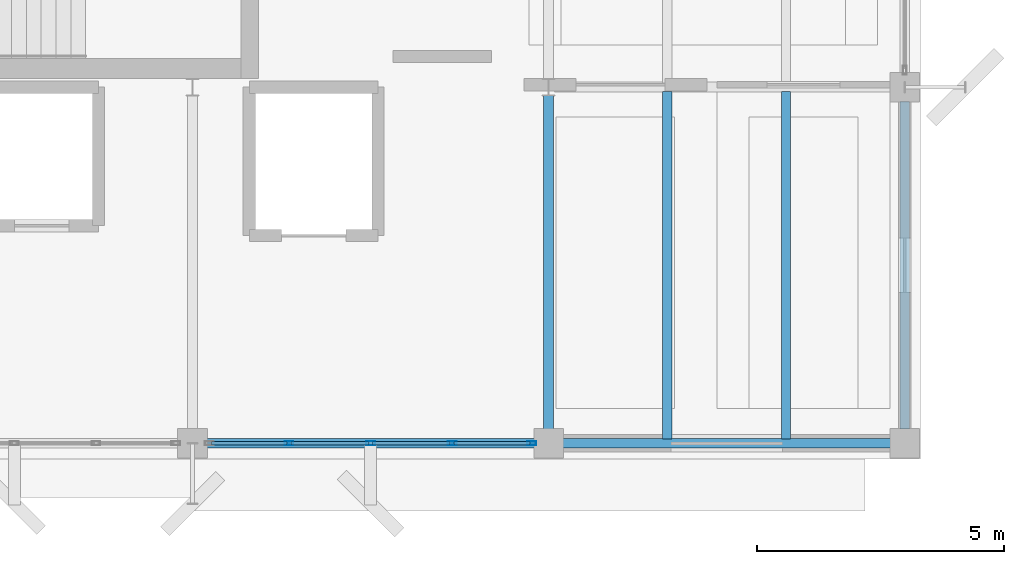
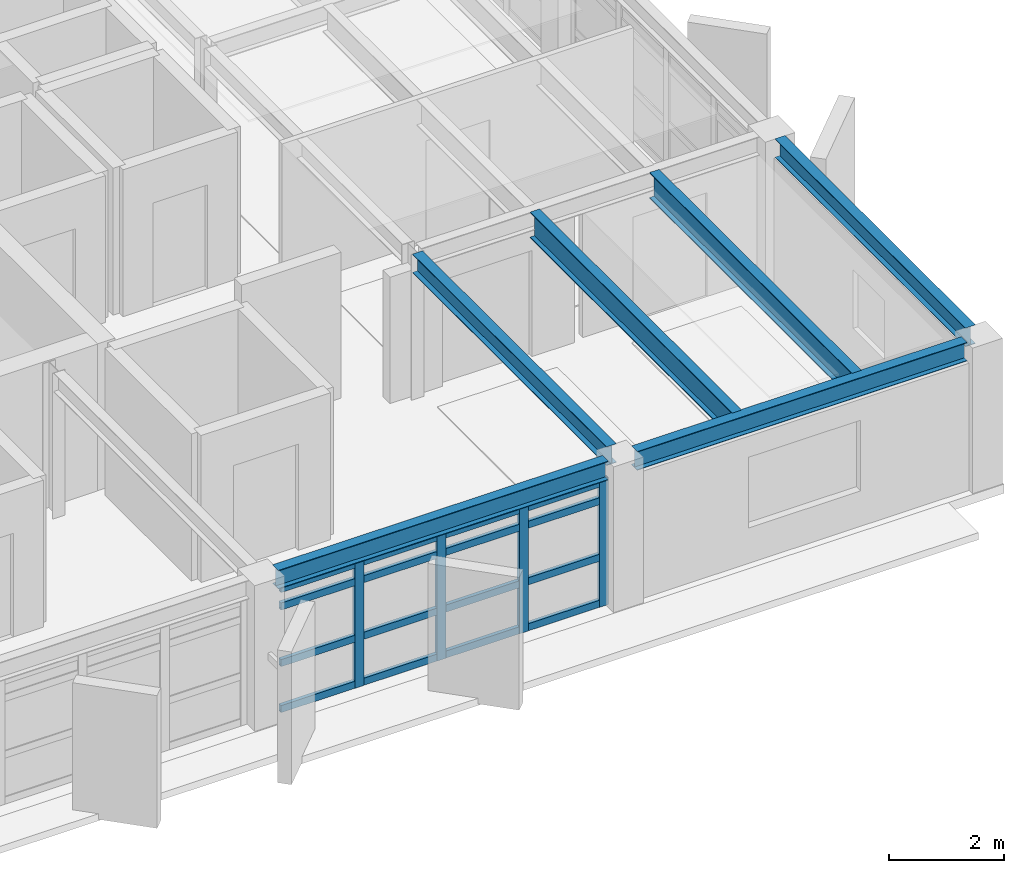
# One storey, part 5 of 15: 20 members, 6 beams, 1 element without a shape of its own.
"""IFC4 building model written with IfcOpenShell, lengths in metres."""

from ifc_helpers import new_model, si_unit, direction, frame, origin, origin_2d, place, context, subcontext, project, spatial, hollow_rectangle, i_section, extrude, material, layer, layer_set, material_profile, profile_set, type_object, element, aggregate, save


model = new_model("IFC4")

# Units and contexts
model_context = context("Model", 3, precision=1e-05, world=origin(), true_north=direction((0.0, 1.0)))
body_context = subcontext(model_context, "Body", "Model", "MODEL_VIEW")
ifc_project = project(units=[si_unit("LENGTHUNIT", "METRE"), si_unit("AREAUNIT", "SQUARE_METRE"), si_unit("VOLUMEUNIT", "CUBIC_METRE"), si_unit("PLANEANGLEUNIT", "RADIAN"), si_unit("MASSUNIT", "GRAM", prefix="KILO")], contexts=[model_context])

# Site, building, storey
site_placement = place(None, origin())
site = spatial("IfcSite", under=ifc_project, at=site_placement, CompositionType="ELEMENT")
building_placement = place(site_placement, origin())
building = spatial("IfcBuilding", under=site, at=building_placement, Name="Kandorven Conservatory and Botanical Research Centre", CompositionType="ELEMENT")
storey_placement = place(building_placement, frame((0.0, 0.0, 56.10009765625)))
storey = spatial("IfcBuildingStorey", under=building, at=storey_placement, Name="L14", CompositionType="ELEMENT", Elevation=56.10009765625)

# Beams
ifc_material_1 = material(Name="Steel S355 (IS 2062 E350)", Category="steel")
ifc_material_profile_1 = material_profile(ifc_material_1, i_section(OverallWidth=0.199951171875, OverallDepth=0.39990234375, WebThickness=0.008544921875, FlangeThickness=0.012939453125, at=origin_2d()))
ifc_profile_set_1 = profile_set([ifc_material_profile_1], Name="Steel S355 (IS 2062 E350)")
beam_type_1 = type_object("IfcBeamType", Name="Beam_FG-03", PredefinedType="USERDEFINED", material=ifc_profile_set_1)
for number, where, z_axis, x_axis, name in (
    (1, (20.68994140625, 6.0, 2.887939453125), (1.0, 0.0, 0.0), (0.0, 1.0, 0.0), "Primary girder FG-03 TWR L14"),
    (2, (27.889892578125, 6.0, 2.887939453125), (1.0, 0.0, 0.0), (0.0, 1.0, 0.0), "Primary girder FG-03 TWR L14"),
):
    element("IfcBeam", number, at=place(storey_placement, frame(where, z_axis=z_axis, x_axis=x_axis)), inside=storey, type_object=beam_type_1, Name=name, ObjectType="GIRDER", PredefinedType="USERDEFINED", context=body_context, shape_type="SweptSolid", body=[
        extrude(i_section(OverallWidth=0.199951171875, OverallDepth=0.39990234375, WebThickness=0.008544921875, FlangeThickness=0.012939453125, at=origin_2d()), origin(), (0.0, 0.0, 1.0), 6.6201171875),
    ])
beam_1_placement = place(storey_placement, frame((27.60009765625, 6.2900390625, 2.887939453125), z_axis=(0.0, 1.0, 0.0), x_axis=(-1.0, 0.0, 0.0)))
element("IfcBeam", 3, at=beam_1_placement, inside=storey, type_object=beam_type_1, Name="Primary girder FG-03 TWR L14", ObjectType="GIRDER", PredefinedType="USERDEFINED", context=body_context, shape_type="SweptSolid", body=[
    extrude(i_section(OverallWidth=0.199951171875, OverallDepth=0.39990234375, WebThickness=0.008544921875, FlangeThickness=0.012939453125, at=origin_2d()), origin(), (0.0, 0.0, 1.0), 6.744873046875),
])
beam_2_placement = place(storey_placement, frame((34.800048828125, 6.2900390625, 2.887939453125), z_axis=(0.0, 1.0, 0.0), x_axis=(-1.0, 0.0, 0.0)))
element("IfcBeam", 4, at=beam_2_placement, inside=storey, type_object=beam_type_1, Name="Primary girder FG-03 TWR L14", ObjectType="GIRDER", PredefinedType="USERDEFINED", context=body_context, shape_type="SweptSolid", body=[
    extrude(i_section(OverallWidth=0.199951171875, OverallDepth=0.39990234375, WebThickness=0.008544921875, FlangeThickness=0.012939453125, at=origin_2d()), origin(), (0.0, 0.0, 1.0), 6.619873046875),
])
ifc_material_2 = material(Name="Steel S355 (IS 2062 E350)", Category="steel")
ifc_material_profile_2 = material_profile(ifc_material_2, i_section(OverallWidth=0.18994140625, OverallDepth=0.550048828125, WebThickness=0.01123046875, FlangeThickness=0.019287109375, at=origin_2d()))
ifc_profile_set_2 = profile_set([ifc_material_profile_2], Name="Steel S355 (IS 2062 E350)")
beam_type_2 = type_object("IfcBeamType", Name="Beam_SB-02", PredefinedType="BEAM", material=ifc_profile_set_2)
for number, where, z_axis, x_axis, name in (
    (5, (30.0, 6.0849609375, 2.81298828125), (0.0, 1.0, 0.0), (-1.0, 0.0, 0.0), "Composite secondary beam SB-02 TWR L14"),
    (6, (32.39990234375, 6.0849609375, 2.81298828125), (0.0, 1.0, 0.0), (-1.0, 0.0, 0.0), "Composite secondary beam SB-02 TWR L14"),
):
    element("IfcBeam", number, at=place(storey_placement, frame(where, z_axis=z_axis, x_axis=x_axis)), inside=storey, type_object=beam_type_2, Name=name, PredefinedType="BEAM", context=body_context, shape_type="SweptSolid", body=[
        extrude(i_section(OverallWidth=0.18994140625, OverallDepth=0.550048828125, WebThickness=0.01123046875, FlangeThickness=0.019287109375, at=origin_2d()), origin(), (0.0, 0.0, 1.0), 7.030029296875),
    ])

# Curtain wall, members
ifc_material_3 = material(Name="Bronze anodised thermally broken aluminium", Category="aluminium")
ifc_layer = layer(ifc_material_3, 0.179931640625)
ifc_layer_set = layer_set([ifc_layer], Name="Bronze anodised thermally broken aluminium")
curtain_wall_type = type_object("IfcCurtainWallType", Name="CW_Unitised", PredefinedType="USERDEFINED", material=ifc_layer_set)
curtain_wall_placement = place(storey_placement, origin())
curtain_wall = element("IfcCurtainWall", 7, at=curtain_wall_placement, inside=storey, type_object=curtain_wall_type, Name="Tower laboratory curtain wall CW-TWR-S-L14-3", ObjectType="UNITISED GLAZING", PredefinedType="USERDEFINED")
ifc_material_4 = material(Name="Bronze anodised thermally broken aluminium", Category="aluminium")
ifc_material_profile_3 = material_profile(ifc_material_4, hollow_rectangle(XDim=0.080078125, YDim=0.179931640625, WallThickness=0.006103515625, at=origin_2d()))
ifc_profile_set_3 = profile_set([ifc_material_profile_3], Name="Bronze anodised thermally broken aluminium")
member_type_1 = type_object("IfcMemberType", Name="CW_Mullion", PredefinedType="MULLION", material=ifc_profile_set_3)
member_1_placement = place(storey_placement, frame((22.35009765625, 6.0, 0.0), z_axis=(0.0, 0.0, 1.0), x_axis=(0.0, 1.0, 0.0)))
member_1 = element("IfcMember", 8, at=member_1_placement, type_object=member_type_1, Name="CW-01 mullion 2", PredefinedType="MULLION", context=body_context, shape_type="SweptSolid", body=[
    extrude(hollow_rectangle(XDim=0.080078125, YDim=0.179931640625, WallThickness=0.006103515625, at=origin_2d()), origin(), (0.0, 0.0, 1.0), 2.69482421875),
])
member_2_placement = place(storey_placement, frame((24.0, 6.0, 0.0), z_axis=(0.0, 0.0, 1.0), x_axis=(0.0, 1.0, 0.0)))
member_2 = element("IfcMember", 9, at=member_2_placement, type_object=member_type_1, Name="CW-01 mullion 3", PredefinedType="MULLION", context=body_context, shape_type="SweptSolid", body=[
    extrude(hollow_rectangle(XDim=0.080078125, YDim=0.179931640625, WallThickness=0.006103515625, at=origin_2d()), origin(), (0.0, 0.0, 1.0), 2.69482421875),
])
member_3_placement = place(storey_placement, frame((25.64990234375, 6.0, 0.0), z_axis=(0.0, 0.0, 1.0), x_axis=(0.0, 1.0, 0.0)))
member_3 = element("IfcMember", 10, at=member_3_placement, type_object=member_type_1, Name="CW-01 mullion 4", PredefinedType="MULLION", context=body_context, shape_type="SweptSolid", body=[
    extrude(hollow_rectangle(XDim=0.080078125, YDim=0.179931640625, WallThickness=0.006103515625, at=origin_2d()), origin(), (0.0, 0.0, 1.0), 2.69482421875),
])
member_4_placement = place(storey_placement, frame((27.260009765625, 6.0, 0.0), z_axis=(0.0, 0.0, 1.0), x_axis=(0.0, 1.0, 0.0)))
member_4 = element("IfcMember", 11, at=member_4_placement, type_object=member_type_1, Name="CW-01 mullion 5", PredefinedType="MULLION", context=body_context, shape_type="SweptSolid", body=[
    extrude(hollow_rectangle(XDim=0.080078125, YDim=0.179931640625, WallThickness=0.006103515625, at=origin_2d()), origin(), (0.0, 0.0, 1.0), 2.69482421875),
])
ifc_material_5 = material(Name="Bronze anodised thermally broken aluminium", Category="aluminium")
ifc_material_profile_4 = material_profile(ifc_material_5, hollow_rectangle(XDim=0.074951171875, YDim=0.14990234375, WallThickness=0.006103515625, at=origin_2d()))
ifc_profile_set_4 = profile_set([ifc_material_profile_4], Name="Bronze anodised thermally broken aluminium")
member_type_2 = type_object("IfcMemberType", Name="CW_Transom", PredefinedType="USERDEFINED", material=ifc_profile_set_4)
member_5_placement = place(storey_placement, frame((20.780029296875, 6.0, 0.074951171875), z_axis=(1.0, 0.0, 0.0), x_axis=(0.0, 1.0, 0.0)))
member_5 = element("IfcMember", 12, at=member_5_placement, type_object=member_type_2, Name="CW-01 transom 1.1", ObjectType="TRANSOM", PredefinedType="USERDEFINED", context=body_context, shape_type="SweptSolid", body=[
    extrude(hollow_rectangle(XDim=0.074951171875, YDim=0.14990234375, WallThickness=0.006103515625, at=origin_2d()), origin(), (0.0, 0.0, 1.0), 1.530029296875),
])
member_6_placement = place(storey_placement, frame((20.780029296875, 6.0, 1.0498046875), z_axis=(1.0, 0.0, 0.0), x_axis=(0.0, 1.0, 0.0)))
member_6 = element("IfcMember", 13, at=member_6_placement, type_object=member_type_2, Name="CW-01 transom 1.2", ObjectType="TRANSOM", PredefinedType="USERDEFINED", context=body_context, shape_type="SweptSolid", body=[
    extrude(hollow_rectangle(XDim=0.074951171875, YDim=0.14990234375, WallThickness=0.006103515625, at=origin_2d()), origin(), (0.0, 0.0, 1.0), 1.530029296875),
])
member_7_placement = place(storey_placement, frame((20.780029296875, 6.0, 2.25), z_axis=(1.0, 0.0, 0.0), x_axis=(0.0, 1.0, 0.0)))
member_7 = element("IfcMember", 14, at=member_7_placement, type_object=member_type_2, Name="CW-01 transom 1.3", ObjectType="TRANSOM", PredefinedType="USERDEFINED", context=body_context, shape_type="SweptSolid", body=[
    extrude(hollow_rectangle(XDim=0.074951171875, YDim=0.14990234375, WallThickness=0.006103515625, at=origin_2d()), origin(), (0.0, 0.0, 1.0), 1.530029296875),
])
member_8_placement = place(storey_placement, frame((20.780029296875, 6.0, 2.619873046875), z_axis=(1.0, 0.0, 0.0), x_axis=(0.0, 1.0, 0.0)))
member_8 = element("IfcMember", 15, at=member_8_placement, type_object=member_type_2, Name="CW-01 transom 1.4", ObjectType="TRANSOM", PredefinedType="USERDEFINED", context=body_context, shape_type="SweptSolid", body=[
    extrude(hollow_rectangle(XDim=0.074951171875, YDim=0.14990234375, WallThickness=0.006103515625, at=origin_2d()), origin(), (0.0, 0.0, 1.0), 1.530029296875),
])
member_9_placement = place(storey_placement, frame((22.389892578125, 6.0, 0.074951171875), z_axis=(1.0, 0.0, 0.0), x_axis=(0.0, 1.0, 0.0)))
member_9 = element("IfcMember", 16, at=member_9_placement, type_object=member_type_2, Name="CW-01 transom 2.1", ObjectType="TRANSOM", PredefinedType="USERDEFINED", context=body_context, shape_type="SweptSolid", body=[
    extrude(hollow_rectangle(XDim=0.074951171875, YDim=0.14990234375, WallThickness=0.006103515625, at=origin_2d()), origin(), (0.0, 0.0, 1.0), 1.570068359375),
])
member_10_placement = place(storey_placement, frame((22.389892578125, 6.0, 1.0498046875), z_axis=(1.0, 0.0, 0.0), x_axis=(0.0, 1.0, 0.0)))
member_10 = element("IfcMember", 17, at=member_10_placement, type_object=member_type_2, Name="CW-01 transom 2.2", ObjectType="TRANSOM", PredefinedType="USERDEFINED", context=body_context, shape_type="SweptSolid", body=[
    extrude(hollow_rectangle(XDim=0.074951171875, YDim=0.14990234375, WallThickness=0.006103515625, at=origin_2d()), origin(), (0.0, 0.0, 1.0), 1.570068359375),
])
member_11_placement = place(storey_placement, frame((22.389892578125, 6.0, 2.25), z_axis=(1.0, 0.0, 0.0), x_axis=(0.0, 1.0, 0.0)))
member_11 = element("IfcMember", 18, at=member_11_placement, type_object=member_type_2, Name="CW-01 transom 2.3", ObjectType="TRANSOM", PredefinedType="USERDEFINED", context=body_context, shape_type="SweptSolid", body=[
    extrude(hollow_rectangle(XDim=0.074951171875, YDim=0.14990234375, WallThickness=0.006103515625, at=origin_2d()), origin(), (0.0, 0.0, 1.0), 1.570068359375),
])
member_12_placement = place(storey_placement, frame((22.389892578125, 6.0, 2.619873046875), z_axis=(1.0, 0.0, 0.0), x_axis=(0.0, 1.0, 0.0)))
member_12 = element("IfcMember", 19, at=member_12_placement, type_object=member_type_2, Name="CW-01 transom 2.4", ObjectType="TRANSOM", PredefinedType="USERDEFINED", context=body_context, shape_type="SweptSolid", body=[
    extrude(hollow_rectangle(XDim=0.074951171875, YDim=0.14990234375, WallThickness=0.006103515625, at=origin_2d()), origin(), (0.0, 0.0, 1.0), 1.570068359375),
])
member_13_placement = place(storey_placement, frame((24.0400390625, 6.0, 0.074951171875), z_axis=(1.0, 0.0, 0.0), x_axis=(0.0, 1.0, 0.0)))
member_13 = element("IfcMember", 20, at=member_13_placement, type_object=member_type_2, Name="CW-01 transom 3.1", ObjectType="TRANSOM", PredefinedType="USERDEFINED", context=body_context, shape_type="SweptSolid", body=[
    extrude(hollow_rectangle(XDim=0.074951171875, YDim=0.14990234375, WallThickness=0.006103515625, at=origin_2d()), origin(), (0.0, 0.0, 1.0), 1.570068359375),
])
member_14_placement = place(storey_placement, frame((24.0400390625, 6.0, 1.0498046875), z_axis=(1.0, 0.0, 0.0), x_axis=(0.0, 1.0, 0.0)))
member_14 = element("IfcMember", 21, at=member_14_placement, type_object=member_type_2, Name="CW-01 transom 3.2", ObjectType="TRANSOM", PredefinedType="USERDEFINED", context=body_context, shape_type="SweptSolid", body=[
    extrude(hollow_rectangle(XDim=0.074951171875, YDim=0.14990234375, WallThickness=0.006103515625, at=origin_2d()), origin(), (0.0, 0.0, 1.0), 1.570068359375),
])
member_15_placement = place(storey_placement, frame((24.0400390625, 6.0, 2.25), z_axis=(1.0, 0.0, 0.0), x_axis=(0.0, 1.0, 0.0)))
member_15 = element("IfcMember", 22, at=member_15_placement, type_object=member_type_2, Name="CW-01 transom 3.3", ObjectType="TRANSOM", PredefinedType="USERDEFINED", context=body_context, shape_type="SweptSolid", body=[
    extrude(hollow_rectangle(XDim=0.074951171875, YDim=0.14990234375, WallThickness=0.006103515625, at=origin_2d()), origin(), (0.0, 0.0, 1.0), 1.570068359375),
])
member_16_placement = place(storey_placement, frame((24.0400390625, 6.0, 2.619873046875), z_axis=(1.0, 0.0, 0.0), x_axis=(0.0, 1.0, 0.0)))
member_16 = element("IfcMember", 23, at=member_16_placement, type_object=member_type_2, Name="CW-01 transom 3.4", ObjectType="TRANSOM", PredefinedType="USERDEFINED", context=body_context, shape_type="SweptSolid", body=[
    extrude(hollow_rectangle(XDim=0.074951171875, YDim=0.14990234375, WallThickness=0.006103515625, at=origin_2d()), origin(), (0.0, 0.0, 1.0), 1.570068359375),
])
member_17_placement = place(storey_placement, frame((25.68994140625, 6.0, 0.074951171875), z_axis=(1.0, 0.0, 0.0), x_axis=(0.0, 1.0, 0.0)))
member_17 = element("IfcMember", 24, at=member_17_placement, type_object=member_type_2, Name="CW-01 transom 4.1", ObjectType="TRANSOM", PredefinedType="USERDEFINED", context=body_context, shape_type="SweptSolid", body=[
    extrude(hollow_rectangle(XDim=0.074951171875, YDim=0.14990234375, WallThickness=0.006103515625, at=origin_2d()), origin(), (0.0, 0.0, 1.0), 1.530029296875),
])
member_18_placement = place(storey_placement, frame((25.68994140625, 6.0, 1.0498046875), z_axis=(1.0, 0.0, 0.0), x_axis=(0.0, 1.0, 0.0)))
member_18 = element("IfcMember", 25, at=member_18_placement, type_object=member_type_2, Name="CW-01 transom 4.2", ObjectType="TRANSOM", PredefinedType="USERDEFINED", context=body_context, shape_type="SweptSolid", body=[
    extrude(hollow_rectangle(XDim=0.074951171875, YDim=0.14990234375, WallThickness=0.006103515625, at=origin_2d()), origin(), (0.0, 0.0, 1.0), 1.530029296875),
])
member_19_placement = place(storey_placement, frame((25.68994140625, 6.0, 2.25), z_axis=(1.0, 0.0, 0.0), x_axis=(0.0, 1.0, 0.0)))
member_19 = element("IfcMember", 26, at=member_19_placement, type_object=member_type_2, Name="CW-01 transom 4.3", ObjectType="TRANSOM", PredefinedType="USERDEFINED", context=body_context, shape_type="SweptSolid", body=[
    extrude(hollow_rectangle(XDim=0.074951171875, YDim=0.14990234375, WallThickness=0.006103515625, at=origin_2d()), origin(), (0.0, 0.0, 1.0), 1.530029296875),
])
member_20_placement = place(storey_placement, frame((25.68994140625, 6.0, 2.619873046875), z_axis=(1.0, 0.0, 0.0), x_axis=(0.0, 1.0, 0.0)))
member_20 = element("IfcMember", 27, at=member_20_placement, type_object=member_type_2, Name="CW-01 transom 4.4", ObjectType="TRANSOM", PredefinedType="USERDEFINED", context=body_context, shape_type="SweptSolid", body=[
    extrude(hollow_rectangle(XDim=0.074951171875, YDim=0.14990234375, WallThickness=0.006103515625, at=origin_2d()), origin(), (0.0, 0.0, 1.0), 1.530029296875),
])
aggregate(curtain_wall, [member_1, member_2, member_3, member_4, member_5, member_6, member_7, member_8, member_9, member_10, member_11, member_12, member_13, member_14, member_15, member_16, member_17, member_18, member_19, member_20])

save(model, "model.ifc")
